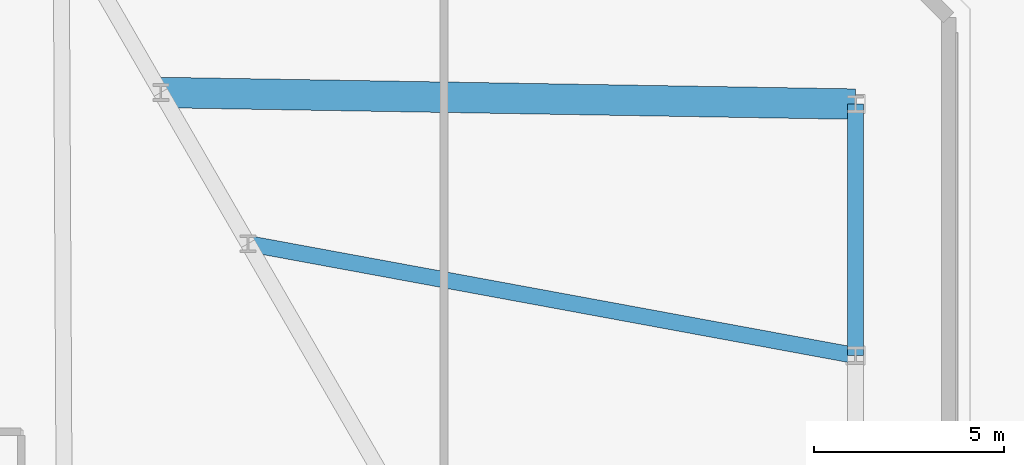
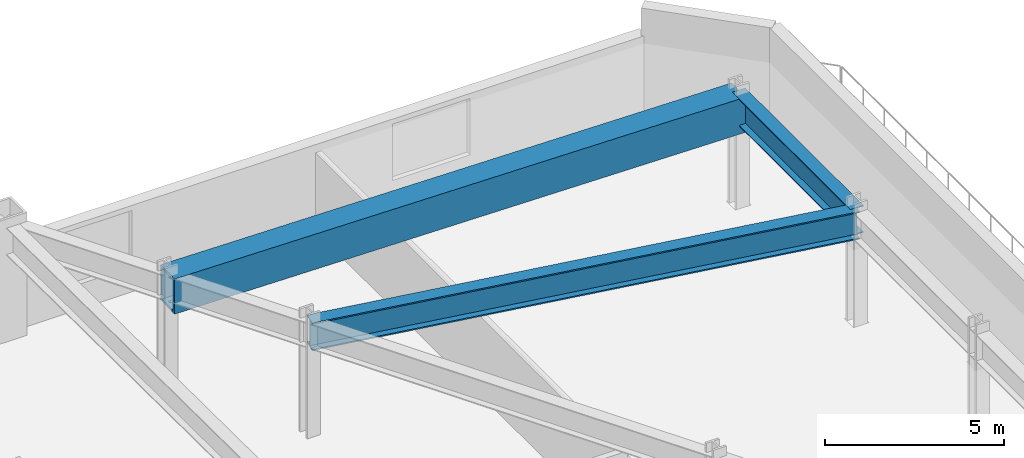
# One storey, part 9 of 22: 3 beams.
"""IFC4 building model written with IfcOpenShell, lengths in metres."""

from ifc_helpers import new_model, si_unit, direction, frame, origin, origin_2d, place, context, subcontext, project, spatial, hollow_rectangle, i_section, extrude, material, material_profile, profile_set, type_object, element, save


model = new_model("IFC4")

# Units and contexts
model_context = context("Model", 3, precision=1e-05, world=origin(), true_north=direction((0.0, 1.0)))
body_context = subcontext(model_context, "Body", "Model", "MODEL_VIEW")
ifc_project = project(units=[si_unit("LENGTHUNIT", "METRE"), si_unit("AREAUNIT", "SQUARE_METRE"), si_unit("VOLUMEUNIT", "CUBIC_METRE"), si_unit("PLANEANGLEUNIT", "RADIAN"), si_unit("MASSUNIT", "GRAM", prefix="KILO")], contexts=[model_context])

# Site, building, storey
site_placement = place(None, origin())
site = spatial("IfcSite", under=ifc_project, at=site_placement, CompositionType="ELEMENT")
building_placement = place(site_placement, origin())
building = spatial("IfcBuilding", under=site, at=building_placement, Name="Oramaril Tower", CompositionType="ELEMENT")
storey_placement = place(building_placement, frame((0.0, 0.0, 18.300048828125)))
storey = spatial("IfcBuildingStorey", under=building, at=storey_placement, Name="L04", CompositionType="ELEMENT", Elevation=18.300048828125)

# Beams
ifc_material_1 = material(Name="Steel ASTM A572 Gr 50", Category="steel")
ifc_material_profile_1 = material_profile(ifc_material_1, i_section(OverallWidth=0.424072265625, OverallDepth=0.947021484375, WebThickness=0.02392578125, FlangeThickness=0.042724609375, at=origin_2d()), Name="W36X302")
ifc_profile_set_1 = profile_set([ifc_material_profile_1], Name="Steel ASTM A572 Gr 50")
beam_type_1 = type_object("IfcBeamType", Name="BT-PG1", PredefinedType="BEAM", material=ifc_profile_set_1)
beam_1_placement = place(storey_placement, frame((66.39990234375, 32.199951171875, 3.406494140625), z_axis=(-0.983441112449, 0.181227973404, 0.0), x_axis=(-0.181227973404, -0.983441112449, 0.0)))
element("IfcBeam", 1, at=beam_1_placement, inside=storey, type_object=beam_type_1, Name="L04 Podium Clear-Span Girder 11", PredefinedType="BEAM", context=body_context, shape_type="SweptSolid", body=[
    extrude(i_section(OverallWidth=0.424072265625, OverallDepth=0.947021484375, WebThickness=0.02392578125, FlangeThickness=0.042724609375, at=origin_2d()), origin(), (0.0, 0.0, 1.0), 16.211669921875),
])
ifc_material_2 = material(Name="Steel ASTM A572 Gr 50", Category="steel")
ifc_material_profile_2 = material_profile(ifc_material_2, i_section(OverallWidth=0.4189453125, OverallDepth=0.927001953125, WebThickness=0.019287109375, FlangeThickness=0.031982421875, at=origin_2d()), Name="W36X231")
ifc_profile_set_2 = profile_set([ifc_material_profile_2], Name="Steel ASTM A572 Gr 50")
beam_type_2 = type_object("IfcBeamType", Name="BT-PG2", PredefinedType="BEAM", material=ifc_profile_set_2)
beam_2_placement = place(storey_placement, frame((66.39990234375, 32.199951171875, 3.41650390625), z_axis=(0.0, 1.0, 0.0), x_axis=(-1.0, 0.0, 0.0)))
element("IfcBeam", 2, at=beam_2_placement, inside=storey, type_object=beam_type_2, Name="L04 Podium Perimeter Girder 11", PredefinedType="BEAM", context=body_context, shape_type="SweptSolid", body=[
    extrude(i_section(OverallWidth=0.4189453125, OverallDepth=0.927001953125, WebThickness=0.019287109375, FlangeThickness=0.031982421875, at=origin_2d()), origin(), (0.0, 0.0, 1.0), 6.60009765625),
])
ifc_material_3 = material(Name="Steel ASTM A572 Gr 50", Category="steel")
ifc_material_profile_3 = material_profile(ifc_material_3, hollow_rectangle(XDim=0.800048828125, YDim=1.199951171875, WallThickness=0.074951171875, at=origin_2d()), Name="BOX1200X800X75")
ifc_profile_set_3 = profile_set([ifc_material_profile_3], Name="Steel ASTM A572 Gr 50")
beam_type_3 = type_object("IfcBeamType", Name="BT-TT1", PredefinedType="BEAM", material=ifc_profile_set_3)
beam_3_placement = place(storey_placement, frame((66.39990234375, 38.800048828125, 3.280029296875), z_axis=(-0.999859521862, 0.016761161682, 0.0), x_axis=(-0.016761161682, -0.999859521862, 0.0)))
element("IfcBeam", 3, at=beam_3_placement, inside=storey, type_object=beam_type_3, Name="L04 Podium Clear-Span Girder 12", PredefinedType="BEAM", context=body_context, shape_type="SweptSolid", body=[
    extrude(hollow_rectangle(XDim=0.800048828125, YDim=1.199951171875, WallThickness=0.074951171875, at=origin_2d()), origin(), (0.0, 0.0, 1.0), 18.236328125),
])

save(model, "model.ifc")
